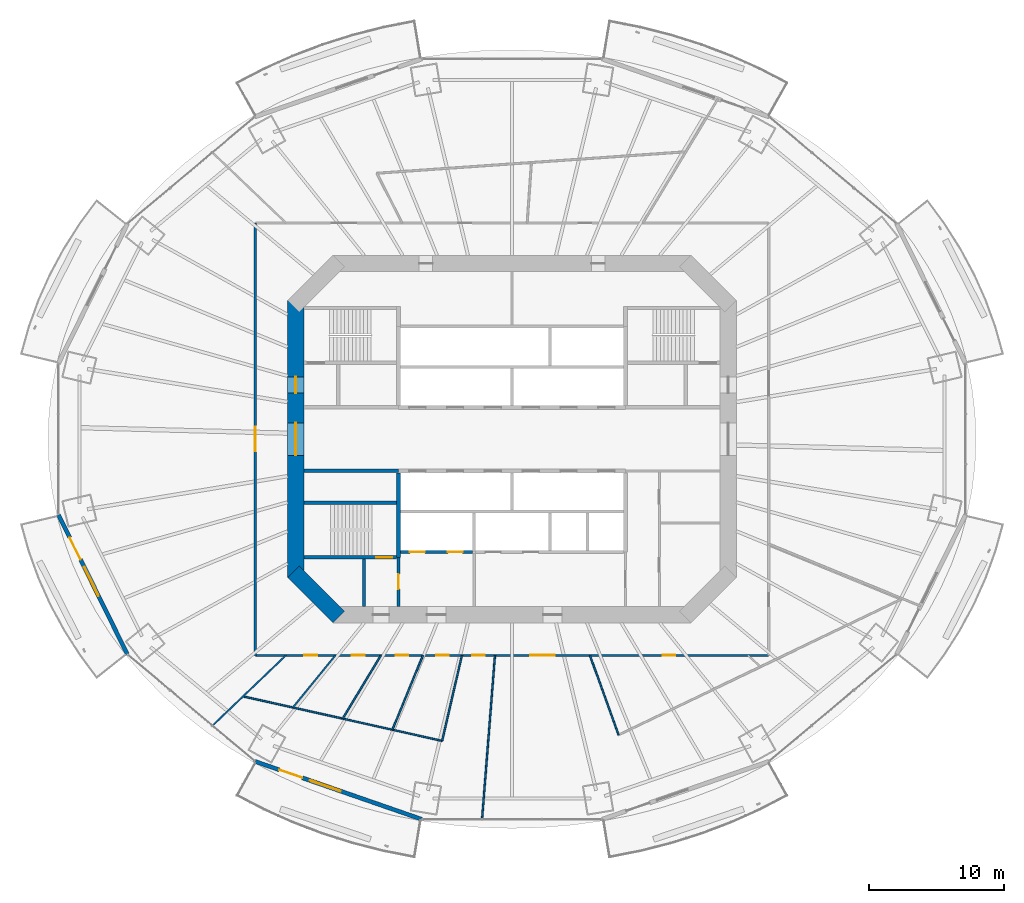
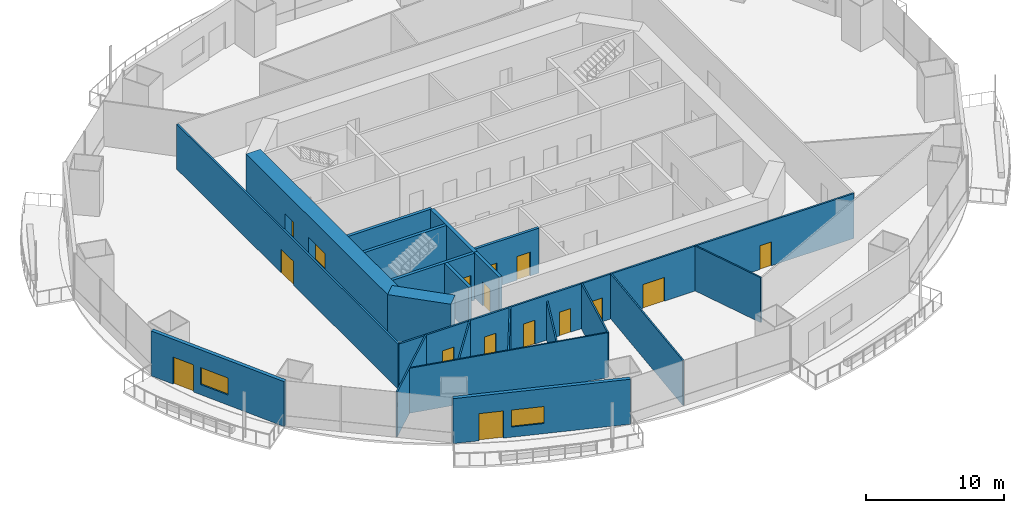
# One storey, part 13 of 22: 21 walls, 16 doors, 2 windows, 18 openings.
"""IFC4 building model written with IfcOpenShell, lengths in metres."""

from ifc_helpers import new_model, si_unit, direction, frame, frame_2d, origin, place, context, subcontext, project, spatial, rectangle, extrude, material, layer, layer_set, type_object, element, fill, save


model = new_model("IFC4")

# Units and contexts
model_context = context("Model", 3, precision=1e-05, world=origin(), true_north=direction((0.0, 1.0)))
body_context = subcontext(model_context, "Body", "Model", "MODEL_VIEW")
ifc_project = project(units=[si_unit("LENGTHUNIT", "METRE"), si_unit("AREAUNIT", "SQUARE_METRE"), si_unit("VOLUMEUNIT", "CUBIC_METRE"), si_unit("PLANEANGLEUNIT", "RADIAN"), si_unit("MASSUNIT", "GRAM", prefix="KILO")], contexts=[model_context])

# Site, building, storey
site_placement = place(None, origin())
site = spatial("IfcSite", under=ifc_project, at=site_placement, CompositionType="ELEMENT")
building_placement = place(site_placement, origin())
building = spatial("IfcBuilding", under=site, at=building_placement, Name="Marenthal Gate Tower", CompositionType="ELEMENT")
storey_placement = place(building_placement, frame((0.0, 0.0, 111.85009765625)))
storey = spatial("IfcBuildingStorey", under=building, at=storey_placement, Name="L23", CompositionType="ELEMENT", Elevation=111.85009765625)

# Wall, openings, doors
ifc_material_1 = material(Name="Concrete 60 MPa", Category="concrete")
ifc_layer_1 = layer(ifc_material_1, 1.199951171875)
ifc_layer_set_1 = layer_set([ifc_layer_1], Name="Core shear wall 1200")
wall_type_1 = type_object("IfcWallType", Name="Core shear wall 1200", PredefinedType="SHEAR", material=ifc_layer_set_1)
wall_1_placement = place(storey_placement, frame((-16.0, 10.24853515625, -0.18017578125), z_axis=(0.0, 0.0, 1.0), x_axis=(0.0, -1.0, 0.0)))
wall_1 = element("IfcWall", 1, at=wall_1_placement, inside=storey, type_object=wall_type_1, Name="Core wall 06", PredefinedType="SHEAR", context=body_context, shape_type="SweptSolid", body=[
    extrude(rectangle(XDim=20.4970703125, YDim=1.199951171875, at=frame_2d((10.24853515625, 0.0))), origin(), (0.0, 0.0, 1.0), 4.150146484375),
])
opening_1_placement = place(wall_1_placement, frame((9.048583984375, 0.0, 0.179931640625)))
opening_1 = element("IfcOpeningElement", 2, at=opening_1_placement, cuts=wall_1, Name="Opening D003.01", PredefinedType="OPENING", context=body_context, shape_type="SweptSolid", body=[
    extrude(rectangle(XDim=2.39990234375, YDim=2.10009765625, at=frame_2d((1.199951171875, 1.050048828125))), frame((0.0, 0.60986328125, 0.0), z_axis=(0.0, -1.0, 0.0), x_axis=(1.0, 0.0, 0.0)), (0.0, 0.0, 1.0), 1.219970703125),
])
opening_2_placement = place(wall_1_placement, frame((5.6484375, 0.0, 0.179931640625)))
opening_2 = element("IfcOpeningElement", 3, at=opening_2_placement, cuts=wall_1, Name="Opening D001.04", PredefinedType="OPENING", context=body_context, shape_type="SweptSolid", body=[
    extrude(rectangle(XDim=1.199951171875, YDim=2.10009765625, at=frame_2d((0.60009765625, 1.050048828125))), frame((0.0, 0.60986328125, 0.0), z_axis=(0.0, -1.0, 0.0), x_axis=(1.0, 0.0, 0.0)), (0.0, 0.0, 1.0), 1.219970703125),
])
ifc_material_2 = material(Name="Steel fire door", Category="steel")
door_type_1 = type_object("IfcDoorType", Name="Double fire door FD 45 2400 x 2100", OperationType="DOUBLE_DOOR_SINGLE_SWING", PredefinedType="DOOR", material=ifc_material_2)
door_1_placement = place(opening_1_placement, origin())
door_1 = element("IfcDoor", 4, at=door_1_placement, inside=storey, type_object=door_type_1, Name="Door D003.01", OperationType="DOUBLE_DOOR_SINGLE_SWING", OverallHeight=2.10009765625, OverallWidth=2.39990234375, PredefinedType="DOOR", context=body_context, shape_type="SweptSolid", body=[
    extrude(rectangle(XDim=2.39990234375, YDim=2.10009765625, at=frame_2d((1.199951171875, 1.050048828125))), frame((0.0, 0.02490234375, 0.0), z_axis=(0.0, -1.0, 0.0), x_axis=(1.0, 0.0, 0.0)), (0.0, 0.0, 1.0), 0.050048828125),
])
fill(opening_1, door_1)
ifc_material_3 = material(Name="Steel fire door", Category="steel")
door_type_2 = type_object("IfcDoorType", Name="Fire door FD 90 1200 x 2100", OperationType="NOTDEFINED", PredefinedType="DOOR", material=ifc_material_3)
door_2_placement = place(opening_2_placement, origin())
door_2 = element("IfcDoor", 5, at=door_2_placement, inside=storey, type_object=door_type_2, Name="Door D001.04", OperationType="SINGLE_SWING_RIGHT", OverallHeight=2.10009765625, OverallWidth=1.199951171875, PredefinedType="DOOR", context=body_context, shape_type="SweptSolid", body=[
    extrude(rectangle(XDim=1.199951171875, YDim=2.10009765625, at=frame_2d((0.60009765625, 1.050048828125))), frame((0.0, 0.02490234375, 0.0), z_axis=(0.0, -1.0, 0.0), x_axis=(1.0, 0.0, 0.0)), (0.0, 0.0, 1.0), 0.050048828125),
])
fill(opening_2, door_2)

# Walls
wall_2_placement = place(storey_placement, frame((-16.17578125, -9.82421875, -0.18017578125), z_axis=(0.0, 0.0, 1.0), x_axis=(0.707106781187, -0.707106781187, 0.0)))
element("IfcWall", 6, at=wall_2_placement, inside=storey, type_object=wall_type_1, Name="Core wall 07", PredefinedType="SHEAR", context=body_context, shape_type="SweptSolid", body=[
    extrude(rectangle(XDim=4.73974609375, YDim=1.199951171875, at=frame_2d((2.369873046875, 0.0))), origin(), (0.0, 0.0, 1.0), 4.150146484375),
])
ifc_material_4 = material(Name="Concrete 50 MPa", Category="concrete")
ifc_layer_2 = layer(ifc_material_4, 0.300048828125)
ifc_layer_set_2 = layer_set([ifc_layer_2], Name="Hoistway shear wall 300")
wall_type_2 = type_object("IfcWallType", Name="Hoistway shear wall 300", PredefinedType="SHEAR", material=ifc_layer_set_2)
wall_3_placement = place(storey_placement, frame((-8.39990234375, -8.75, -0.18017578125), z_axis=(0.0, 0.0, 1.0), x_axis=(0.0, 1.0, 0.0)))
element("IfcWall", 7, at=wall_3_placement, inside=storey, type_object=wall_type_2, Name="Hoistway wall 30", PredefinedType="SHEAR", context=body_context, shape_type="SweptSolid", body=[
    extrude(rectangle(XDim=6.25, YDim=0.300048828125, at=frame_2d((3.125, 0.0))), origin(), (0.0, 0.0, 1.0), 4.150146484375),
])

# Wall, openings, doors
ifc_material_5 = material(Name="Concrete 40 MPa", Category="concrete")
ifc_layer_3 = layer(ifc_material_5, 0.219970703125)
ifc_layer_set_3 = layer_set([ifc_layer_3], Name="Hoistway wall 220")
wall_type_3 = type_object("IfcWallType", Name="Hoistway wall 220", PredefinedType="STANDARD", material=ifc_layer_set_3)
wall_4_placement = place(storey_placement, frame((-8.25, -8.35009765625, 0.0), z_axis=(0.0, 0.0, 1.0), x_axis=(1.0, 0.0, 0.0)))
wall_4 = element("IfcWall", 8, at=wall_4_placement, inside=storey, type_object=wall_type_3, Name="Hoistway wall 10", PredefinedType="STANDARD", context=body_context, shape_type="SweptSolid", body=[
    extrude(rectangle(XDim=5.340087890625, YDim=0.219970703125, at=frame_2d((2.669921875, 0.0))), origin(), (0.0, 0.0, 1.0), 3.969970703125),
])
opening_3_placement = place(wall_4_placement, frame((0.699951171875, 0.0, 0.0)))
opening_3 = element("IfcOpeningElement", 9, at=opening_3_placement, cuts=wall_4, Name="Opening LD-LF1", PredefinedType="OPENING", context=body_context, shape_type="SweptSolid", body=[
    extrude(rectangle(XDim=1.10009765625, YDim=2.10009765625, at=frame_2d((0.550048828125, 1.050048828125))), frame((0.0, 0.1201171875, 0.0), z_axis=(0.0, -1.0, 0.0), x_axis=(1.0, 0.0, 0.0)), (0.0, 0.0, 1.0), 0.239990234375),
])
opening_4_placement = place(wall_4_placement, frame((3.5, 0.0, 0.0)))
opening_4 = element("IfcOpeningElement", 10, at=opening_4_placement, cuts=wall_4, Name="Opening LD-LF2", PredefinedType="OPENING", context=body_context, shape_type="SweptSolid", body=[
    extrude(rectangle(XDim=1.10009765625, YDim=2.10009765625, at=frame_2d((0.550048828125, 1.050048828125))), frame((0.0, 0.1201171875, 0.0), z_axis=(0.0, -1.0, 0.0), x_axis=(1.0, 0.0, 0.0)), (0.0, 0.0, 1.0), 0.239990234375),
])
ifc_material_6 = material(Name="Stainless steel sliding door", Category="steel")
door_type_3 = type_object("IfcDoorType", Name="Lift landing door FD 90 1100 x 2100", OperationType="DOUBLE_DOOR_SLIDING", PredefinedType="DOOR", material=ifc_material_6)
door_3_placement = place(opening_3_placement, origin())
door_3 = element("IfcDoor", 11, at=door_3_placement, inside=storey, type_object=door_type_3, Name="Lift landing door LF1", OperationType="DOUBLE_DOOR_SLIDING", OverallHeight=2.10009765625, OverallWidth=1.10009765625, PredefinedType="DOOR", context=body_context, shape_type="SweptSolid", body=[
    extrude(rectangle(XDim=1.10009765625, YDim=2.10009765625, at=frame_2d((0.550048828125, 1.050048828125))), frame((0.0, 0.02490234375, 0.0), z_axis=(0.0, -1.0, 0.0), x_axis=(1.0, 0.0, 0.0)), (0.0, 0.0, 1.0), 0.050048828125),
])
fill(opening_3, door_3)
door_4_placement = place(opening_4_placement, origin())
door_4 = element("IfcDoor", 12, at=door_4_placement, inside=storey, type_object=door_type_3, Name="Lift landing door LF2", OperationType="DOUBLE_DOOR_SLIDING", OverallHeight=2.10009765625, OverallWidth=1.10009765625, PredefinedType="DOOR", context=body_context, shape_type="SweptSolid", body=[
    extrude(rectangle(XDim=1.10009765625, YDim=2.10009765625, at=frame_2d((0.550048828125, 1.050048828125))), frame((0.0, 0.02490234375, 0.0), z_axis=(0.0, -1.0, 0.0), x_axis=(1.0, 0.0, 0.0)), (0.0, 0.0, 1.0), 0.050048828125),
])
fill(opening_4, door_4)

# Walls
ifc_material_7 = material(Name="Gypsum board on steel studs", Category="steel")
ifc_layer_4 = layer(ifc_material_7, 0.1201171875)
ifc_layer_set_4 = layer_set([ifc_layer_4], Name="Partition 120")
wall_type_4 = type_object("IfcWallType", Name="Partition 120", PredefinedType="PARTITIONING", material=ifc_layer_set_4)
wall_5_placement = place(storey_placement, frame((-19.902587890625, -19.039306640625, 0.0), z_axis=(0.0, 0.0, 1.0), x_axis=(0.975911899849, -0.218164991996, 0.0)))
element("IfcWall", 13, at=wall_5_placement, inside=storey, type_object=wall_type_4, Name="Partition wall 47", PredefinedType="PARTITIONING", context=body_context, shape_type="SweptSolid", body=[
    extrude(rectangle(XDim=15.094970703125, YDim=0.1201171875, at=frame_2d((7.54736328125, 0.0))), origin(), (0.0, 0.0, 1.0), 3.969970703125),
])
wall_6_placement = place(storey_placement, frame((-16.7255859375, -16.0, 0.0), z_axis=(0.0, 0.0, 1.0), x_axis=(-0.722599633889, -0.691266785767, 0.0)))
element("IfcWall", 14, at=wall_6_placement, inside=storey, type_object=wall_type_4, Name="Partition wall 50", PredefinedType="PARTITIONING", context=body_context, shape_type="SweptSolid", body=[
    extrude(rectangle(XDim=7.53466796875, YDim=0.1201171875, at=frame_2d((3.767333984375, 0.0))), origin(), (0.0, 0.0, 1.0), 3.969970703125),
])
wall_7_placement = place(storey_placement, frame((-16.2197265625, -19.862548828125, 0.0), z_axis=(0.0, 0.0, 1.0), x_axis=(0.632491004323, 0.774567704884, 0.0)))
element("IfcWall", 15, at=wall_7_placement, inside=storey, type_object=wall_type_4, Name="Partition wall 52", PredefinedType="PARTITIONING", context=body_context, shape_type="SweptSolid", body=[
    extrude(rectangle(XDim=4.98681640625, YDim=0.1201171875, at=frame_2d((2.493408203125, 0.0))), origin(), (0.0, 0.0, 1.0), 3.969970703125),
])
wall_8_placement = place(storey_placement, frame((-12.536865234375, -20.685791015625, 0.0), z_axis=(0.0, 0.0, 1.0), x_axis=(0.518297766023, 0.855200225523, 0.0)))
element("IfcWall", 16, at=wall_8_placement, inside=storey, type_object=wall_type_4, Name="Partition wall 53", PredefinedType="PARTITIONING", context=body_context, shape_type="SweptSolid", body=[
    extrude(rectangle(XDim=5.479248046875, YDim=0.1201171875, at=frame_2d((2.73974609375, 0.0))), origin(), (0.0, 0.0, 1.0), 3.969970703125),
])
wall_9_placement = place(storey_placement, frame((-8.85400390625, -21.509033203125, 0.0), z_axis=(0.0, 0.0, 1.0), x_axis=(0.380663236363, 0.92471373975, 0.0)))
element("IfcWall", 17, at=wall_9_placement, inside=storey, type_object=wall_type_4, Name="Partition wall 55", PredefinedType="PARTITIONING", context=body_context, shape_type="SweptSolid", body=[
    extrude(rectangle(XDim=5.95751953125, YDim=0.1201171875, at=frame_2d((2.978759765625, 0.0))), origin(), (0.0, 0.0, 1.0), 3.42578125),
])
wall_10_placement = place(storey_placement, frame((-5.171142578125, -22.33251953125, 0.0), z_axis=(0.0, 0.0, 1.0), x_axis=(0.225583629602, 0.974223806964, 0.0)))
element("IfcWall", 18, at=wall_10_placement, inside=storey, type_object=wall_type_4, Name="Partition wall 56", PredefinedType="PARTITIONING", context=body_context, shape_type="SweptSolid", body=[
    extrude(rectangle(XDim=6.5, YDim=0.1201171875, at=frame_2d((3.25, 0.0))), origin(), (0.0, 0.0, 1.0), 3.969970703125),
])
wall_11_placement = place(storey_placement, frame((-1.260009765625, -16.0, 0.0), z_axis=(0.0, 0.0, 1.0), x_axis=(-0.078510530824, -0.996913284368, 0.0)))
element("IfcWall", 19, at=wall_11_placement, inside=storey, type_object=wall_type_4, Name="Partition wall 57", PredefinedType="PARTITIONING", context=body_context, shape_type="SweptSolid", body=[
    extrude(rectangle(XDim=12.17431640625, YDim=0.1201171875, at=frame_2d((6.087158203125, 0.0))), origin(), (0.0, 0.0, 1.0), 3.969970703125),
])
wall_12_placement = place(storey_placement, frame((7.887451171875, -21.892333984375, 0.0), z_axis=(0.0, 0.0, 1.0), x_axis=(-0.338974817015, 0.940795447177, 0.0)))
element("IfcWall", 20, at=wall_12_placement, inside=storey, type_object=wall_type_4, Name="Partition wall 60", PredefinedType="PARTITIONING", context=body_context, shape_type="SweptSolid", body=[
    extrude(rectangle(XDim=6.26318359375, YDim=0.1201171875, at=frame_2d((3.131591796875, 0.0))), origin(), (0.0, 0.0, 1.0), 3.969970703125),
])

# Wall, opening, door
ifc_material_8 = material(Name="Gypsum board on steel studs", Category="steel")
ifc_layer_5 = layer(ifc_material_8, 0.14990234375)
ifc_layer_set_5 = layer_set([ifc_layer_5], Name="Partition 150")
wall_type_5 = type_object("IfcWallType", Name="Partition 150", PredefinedType="PARTITIONING", material=ifc_layer_set_5)
wall_13_placement = place(storey_placement, frame((-19.0, -16.0, 0.0), z_axis=(0.0, 0.0, 1.0), x_axis=(0.0, 1.0, 0.0)))
wall_13 = element("IfcWall", 21, at=wall_13_placement, inside=storey, type_object=wall_type_5, Name="Partition wall 48", PredefinedType="PARTITIONING", context=body_context, shape_type="SweptSolid", body=[
    extrude(rectangle(XDim=32.0, YDim=0.14990234375, at=frame_2d((16.0, 0.0))), origin(), (0.0, 0.0, 1.0), 3.969970703125),
])
opening_5_placement = place(wall_13_placement, frame((15.10009765625, 0.0, 0.0)))
opening_5 = element("IfcOpeningElement", 22, at=opening_5_placement, cuts=wall_13, Name="Opening D014.02", PredefinedType="OPENING", context=body_context, shape_type="SweptSolid", body=[
    extrude(rectangle(XDim=1.800048828125, YDim=2.10009765625, at=frame_2d((0.89990234375, 1.050048828125))), frame((0.0, 0.0849609375, 0.0), z_axis=(0.0, -1.0, 0.0), x_axis=(1.0, 0.0, 0.0)), (0.0, 0.0, 1.0), 0.169921875),
])
ifc_material_9 = material(Name="Timber door", Category="wood")
door_type_4 = type_object("IfcDoorType", Name="Double door 1800 x 2100", OperationType="DOUBLE_DOOR_SINGLE_SWING", PredefinedType="DOOR", material=ifc_material_9)
door_5_placement = place(opening_5_placement, origin())
door_5 = element("IfcDoor", 23, at=door_5_placement, inside=storey, type_object=door_type_4, Name="Door D014.02", OperationType="DOUBLE_DOOR_SINGLE_SWING", OverallHeight=2.10009765625, OverallWidth=1.800048828125, PredefinedType="DOOR", context=body_context, shape_type="SweptSolid", body=[
    extrude(rectangle(XDim=1.800048828125, YDim=2.10009765625, at=frame_2d((0.89990234375, 1.050048828125))), frame((0.0, 0.02490234375, 0.0), z_axis=(0.0, -1.0, 0.0), x_axis=(1.0, 0.0, 0.0)), (0.0, 0.0, 1.0), 0.050048828125),
])
fill(opening_5, door_5)

# Wall, openings, doors
wall_14_placement = place(storey_placement, frame((19.0, -16.0, 0.0), z_axis=(0.0, 0.0, 1.0), x_axis=(-1.0, 0.0, 0.0)))
wall_14 = element("IfcWall", 24, at=wall_14_placement, inside=storey, type_object=wall_type_5, Name="Partition wall 64", PredefinedType="PARTITIONING", context=body_context, shape_type="SweptSolid", body=[
    extrude(rectangle(XDim=38.0, YDim=0.14990234375, at=frame_2d((19.0, 0.0))), origin(), (0.0, 0.0, 1.0), 3.969970703125),
])
opening_6_placement = place(wall_14_placement, frame((33.4208984375, 0.0, 0.0)))
opening_6 = element("IfcOpeningElement", 25, at=opening_6_placement, cuts=wall_14, Name="Opening D016.03", PredefinedType="OPENING", context=body_context, shape_type="SweptSolid", body=[
    extrude(rectangle(XDim=0.949951171875, YDim=2.10009765625, at=frame_2d((0.47509765625, 1.050048828125))), frame((0.0, 0.0849609375, 0.0), z_axis=(0.0, -1.0, 0.0), x_axis=(1.0, 0.0, 0.0)), (0.0, 0.0, 1.0), 0.169921875),
])
opening_7_placement = place(wall_14_placement, frame((29.906982421875, 0.0, 0.0)))
opening_7 = element("IfcOpeningElement", 26, at=opening_7_placement, cuts=wall_14, Name="Opening D016.04", PredefinedType="OPENING", context=body_context, shape_type="SweptSolid", body=[
    extrude(rectangle(XDim=0.949951171875, YDim=2.10009765625, at=frame_2d((0.47509765625, 1.050048828125))), frame((0.0, 0.0849609375, 0.0), z_axis=(0.0, -1.0, 0.0), x_axis=(1.0, 0.0, 0.0)), (0.0, 0.0, 1.0), 0.169921875),
])
opening_8_placement = place(wall_14_placement, frame((26.666015625, 0.0, 0.0)))
opening_8 = element("IfcOpeningElement", 27, at=opening_8_placement, cuts=wall_14, Name="Opening D016.05", PredefinedType="OPENING", context=body_context, shape_type="SweptSolid", body=[
    extrude(rectangle(XDim=0.949951171875, YDim=2.10009765625, at=frame_2d((0.47509765625, 1.050048828125))), frame((0.0, 0.0849609375, 0.0), z_axis=(0.0, -1.0, 0.0), x_axis=(1.0, 0.0, 0.0)), (0.0, 0.0, 1.0), 0.169921875),
])
opening_9_placement = place(wall_14_placement, frame((23.669921875, 0.0, 0.0)))
opening_9 = element("IfcOpeningElement", 28, at=opening_9_placement, cuts=wall_14, Name="Opening D016.06", PredefinedType="OPENING", context=body_context, shape_type="SweptSolid", body=[
    extrude(rectangle(XDim=0.949951171875, YDim=2.10009765625, at=frame_2d((0.47509765625, 1.050048828125))), frame((0.0, 0.0849609375, 0.0), z_axis=(0.0, -1.0, 0.0), x_axis=(1.0, 0.0, 0.0)), (0.0, 0.0, 1.0), 0.169921875),
])
opening_10_placement = place(wall_14_placement, frame((21.008056640625, 0.0, 0.0)))
opening_10 = element("IfcOpeningElement", 29, at=opening_10_placement, cuts=wall_14, Name="Opening D016.07", PredefinedType="OPENING", context=body_context, shape_type="SweptSolid", body=[
    extrude(rectangle(XDim=0.949951171875, YDim=2.10009765625, at=frame_2d((0.47509765625, 1.050048828125))), frame((0.0, 0.0849609375, 0.0), z_axis=(0.0, -1.0, 0.0), x_axis=(1.0, 0.0, 0.0)), (0.0, 0.0, 1.0), 0.169921875),
])
opening_11_placement = place(wall_14_placement, frame((6.912109375, 0.0, 0.0)))
opening_11 = element("IfcOpeningElement", 30, at=opening_11_placement, cuts=wall_14, Name="Opening D016.08", PredefinedType="OPENING", context=body_context, shape_type="SweptSolid", body=[
    extrude(rectangle(XDim=0.949951171875, YDim=2.10009765625, at=frame_2d((0.47509765625, 1.050048828125))), frame((0.0, 0.0849609375, 0.0), z_axis=(0.0, -1.0, 0.0), x_axis=(1.0, 0.0, 0.0)), (0.0, 0.0, 1.0), 0.169921875),
])
opening_12_placement = place(wall_14_placement, frame((15.847900390625, 0.0, 0.0)))
opening_12 = element("IfcOpeningElement", 31, at=opening_12_placement, cuts=wall_14, Name="Opening D014.03", PredefinedType="OPENING", context=body_context, shape_type="SweptSolid", body=[
    extrude(rectangle(XDim=1.800048828125, YDim=2.10009765625, at=frame_2d((0.89990234375, 1.050048828125))), frame((0.0, 0.0849609375, 0.0), z_axis=(0.0, -1.0, 0.0), x_axis=(1.0, 0.0, 0.0)), (0.0, 0.0, 1.0), 0.169921875),
])
ifc_material_10 = material(Name="Timber door", Category="wood")
door_type_5 = type_object("IfcDoorType", Name="Door 950 x 2100", OperationType="NOTDEFINED", PredefinedType="DOOR", material=ifc_material_10)
door_6_placement = place(opening_6_placement, origin())
door_6 = element("IfcDoor", 32, at=door_6_placement, inside=storey, type_object=door_type_5, Name="Door D016.03", OperationType="SINGLE_SWING_RIGHT", OverallHeight=2.10009765625, OverallWidth=0.949951171875, PredefinedType="DOOR", context=body_context, shape_type="SweptSolid", body=[
    extrude(rectangle(XDim=0.949951171875, YDim=2.10009765625, at=frame_2d((0.47509765625, 1.050048828125))), frame((0.0, 0.02490234375, 0.0), z_axis=(0.0, -1.0, 0.0), x_axis=(1.0, 0.0, 0.0)), (0.0, 0.0, 1.0), 0.050048828125),
])
fill(opening_6, door_6)
door_7_placement = place(opening_7_placement, origin())
door_7 = element("IfcDoor", 33, at=door_7_placement, inside=storey, type_object=door_type_5, Name="Door D016.04", OperationType="SINGLE_SWING_RIGHT", OverallHeight=2.10009765625, OverallWidth=0.949951171875, PredefinedType="DOOR", context=body_context, shape_type="SweptSolid", body=[
    extrude(rectangle(XDim=0.949951171875, YDim=2.10009765625, at=frame_2d((0.47509765625, 1.050048828125))), frame((0.0, 0.02490234375, 0.0), z_axis=(0.0, -1.0, 0.0), x_axis=(1.0, 0.0, 0.0)), (0.0, 0.0, 1.0), 0.050048828125),
])
fill(opening_7, door_7)
door_8_placement = place(opening_8_placement, origin())
door_8 = element("IfcDoor", 34, at=door_8_placement, inside=storey, type_object=door_type_5, Name="Door D016.05", OperationType="SINGLE_SWING_RIGHT", OverallHeight=2.10009765625, OverallWidth=0.949951171875, PredefinedType="DOOR", context=body_context, shape_type="SweptSolid", body=[
    extrude(rectangle(XDim=0.949951171875, YDim=2.10009765625, at=frame_2d((0.47509765625, 1.050048828125))), frame((0.0, 0.02490234375, 0.0), z_axis=(0.0, -1.0, 0.0), x_axis=(1.0, 0.0, 0.0)), (0.0, 0.0, 1.0), 0.050048828125),
])
fill(opening_8, door_8)
door_9_placement = place(opening_9_placement, origin())
door_9 = element("IfcDoor", 35, at=door_9_placement, inside=storey, type_object=door_type_5, Name="Door D016.06", OperationType="SINGLE_SWING_RIGHT", OverallHeight=2.10009765625, OverallWidth=0.949951171875, PredefinedType="DOOR", context=body_context, shape_type="SweptSolid", body=[
    extrude(rectangle(XDim=0.949951171875, YDim=2.10009765625, at=frame_2d((0.47509765625, 1.050048828125))), frame((0.0, 0.02490234375, 0.0), z_axis=(0.0, -1.0, 0.0), x_axis=(1.0, 0.0, 0.0)), (0.0, 0.0, 1.0), 0.050048828125),
])
fill(opening_9, door_9)
door_10_placement = place(opening_10_placement, origin())
door_10 = element("IfcDoor", 36, at=door_10_placement, inside=storey, type_object=door_type_5, Name="Door D016.07", OperationType="SINGLE_SWING_RIGHT", OverallHeight=2.10009765625, OverallWidth=0.949951171875, PredefinedType="DOOR", context=body_context, shape_type="SweptSolid", body=[
    extrude(rectangle(XDim=0.949951171875, YDim=2.10009765625, at=frame_2d((0.47509765625, 1.050048828125))), frame((0.0, 0.02490234375, 0.0), z_axis=(0.0, -1.0, 0.0), x_axis=(1.0, 0.0, 0.0)), (0.0, 0.0, 1.0), 0.050048828125),
])
fill(opening_10, door_10)
door_11_placement = place(opening_11_placement, origin())
door_11 = element("IfcDoor", 37, at=door_11_placement, inside=storey, type_object=door_type_5, Name="Door D016.08", OperationType="SINGLE_SWING_RIGHT", OverallHeight=2.10009765625, OverallWidth=0.949951171875, PredefinedType="DOOR", context=body_context, shape_type="SweptSolid", body=[
    extrude(rectangle(XDim=0.949951171875, YDim=2.10009765625, at=frame_2d((0.47509765625, 1.050048828125))), frame((0.0, 0.02490234375, 0.0), z_axis=(0.0, -1.0, 0.0), x_axis=(1.0, 0.0, 0.0)), (0.0, 0.0, 1.0), 0.050048828125),
])
fill(opening_11, door_11)
door_12_placement = place(opening_12_placement, origin())
door_12 = element("IfcDoor", 38, at=door_12_placement, inside=storey, type_object=door_type_4, Name="Door D014.03", OperationType="DOUBLE_DOOR_SINGLE_SWING", OverallHeight=2.10009765625, OverallWidth=1.800048828125, PredefinedType="DOOR", context=body_context, shape_type="SweptSolid", body=[
    extrude(rectangle(XDim=1.800048828125, YDim=2.10009765625, at=frame_2d((0.89990234375, 1.050048828125))), frame((0.0, 0.02490234375, 0.0), z_axis=(0.0, -1.0, 0.0), x_axis=(1.0, 0.0, 0.0)), (0.0, 0.0, 1.0), 0.050048828125),
])
fill(opening_12, door_12)

# Walls
ifc_material_11 = material(Name="Concrete 40 MPa", Category="concrete")
ifc_layer_6 = layer(ifc_material_11, 0.25)
ifc_layer_set_6 = layer_set([ifc_layer_6], Name="Stair enclosure wall 250")
wall_type_6 = type_object("IfcWallType", Name="Stair enclosure wall 250", PredefinedType="STANDARD", material=ifc_layer_set_6)
wall_15_placement = place(storey_placement, frame((-15.39990234375, -2.35009765625, 0.0), z_axis=(0.0, 0.0, 1.0), x_axis=(1.0, 0.0, 0.0)))
element("IfcWall", 39, at=wall_15_placement, inside=storey, type_object=wall_type_6, Name="Stair wall 15", PredefinedType="STANDARD", context=body_context, shape_type="SweptSolid", body=[
    extrude(rectangle(XDim=7.0, YDim=0.25, at=frame_2d((3.5, 0.0))), origin(), (0.0, 0.0, 1.0), 3.969970703125),
])
wall_16_placement = place(storey_placement, frame((-10.949951171875, -12.39990234375, 0.0), z_axis=(0.0, 0.0, 1.0), x_axis=(0.0, 1.0, 0.0)))
element("IfcWall", 40, at=wall_16_placement, inside=storey, type_object=wall_type_6, Name="Stair wall 28", PredefinedType="STANDARD", context=body_context, shape_type="SweptSolid", body=[
    extrude(rectangle(XDim=3.52490234375, YDim=0.25, at=frame_2d((1.762451171875, 0.0))), origin(), (0.0, 0.0, 1.0), 3.969970703125),
])

# Wall, opening, door
wall_17_placement = place(storey_placement, frame((-8.39990234375, -12.39990234375, 0.0), z_axis=(0.0, 0.0, 1.0), x_axis=(0.0, 1.0, 0.0)))
wall_17 = element("IfcWall", 41, at=wall_17_placement, inside=storey, type_object=wall_type_6, Name="Stair wall 29", PredefinedType="STANDARD", context=body_context, shape_type="SweptSolid", body=[
    extrude(rectangle(XDim=3.64990234375, YDim=0.25, at=frame_2d((1.824951171875, 0.0))), origin(), (0.0, 0.0, 1.0), 3.969970703125),
])
opening_13_placement = place(wall_17_placement, frame((1.300048828125, 0.0, 0.0)))
opening_13 = element("IfcOpeningElement", 42, at=opening_13_placement, cuts=wall_17, Name="Opening D002.01", PredefinedType="OPENING", context=body_context, shape_type="SweptSolid", body=[
    extrude(rectangle(XDim=1.10009765625, YDim=2.10009765625, at=frame_2d((0.550048828125, 1.050048828125))), frame((0.0, 0.135009765625, 0.0), z_axis=(0.0, -1.0, 0.0), x_axis=(1.0, 0.0, 0.0)), (0.0, 0.0, 1.0), 0.27001953125),
])
ifc_material_12 = material(Name="Steel fire door", Category="steel")
door_type_6 = type_object("IfcDoorType", Name="Fire door FD 90 1100 x 2100", OperationType="NOTDEFINED", PredefinedType="DOOR", material=ifc_material_12)
door_13_placement = place(opening_13_placement, origin())
door_13 = element("IfcDoor", 43, at=door_13_placement, inside=storey, type_object=door_type_6, Name="Door D002.01", OperationType="SINGLE_SWING_RIGHT", OverallHeight=2.10009765625, OverallWidth=1.10009765625, PredefinedType="DOOR", context=body_context, shape_type="SweptSolid", body=[
    extrude(rectangle(XDim=1.10009765625, YDim=2.10009765625, at=frame_2d((0.550048828125, 1.050048828125))), frame((0.0, 0.02490234375, 0.0), z_axis=(0.0, -1.0, 0.0), x_axis=(1.0, 0.0, 0.0)), (0.0, 0.0, 1.0), 0.050048828125),
])
fill(opening_13, door_13)

ifc_material_13 = material(Name="Concrete 50 MPa", Category="concrete")
ifc_layer_7 = layer(ifc_material_13, 0.25)
ifc_layer_set_7 = layer_set([ifc_layer_7], Name="Stair shear wall 250")
wall_type_7 = type_object("IfcWallType", Name="Stair shear wall 250", PredefinedType="SHEAR", material=ifc_layer_set_7)
wall_18_placement = place(storey_placement, frame((-15.39990234375, -8.75, -0.18017578125), z_axis=(0.0, 0.0, 1.0), x_axis=(1.0, 0.0, 0.0)))
wall_18 = element("IfcWall", 44, at=wall_18_placement, inside=storey, type_object=wall_type_7, Name="Stair wall 09", PredefinedType="SHEAR", context=body_context, shape_type="SweptSolid", body=[
    extrude(rectangle(XDim=6.849853515625, YDim=0.25, at=frame_2d((3.4248046875, 0.0))), origin(), (0.0, 0.0, 1.0), 4.150146484375),
])
opening_14_placement = place(wall_18_placement, frame((5.35009765625, 0.0, 0.179931640625)))
opening_14 = element("IfcOpeningElement", 45, at=opening_14_placement, cuts=wall_18, Name="Opening D001.03", PredefinedType="OPENING", context=body_context, shape_type="SweptSolid", body=[
    extrude(rectangle(XDim=1.199951171875, YDim=2.10009765625, at=frame_2d((0.60009765625, 1.050048828125))), frame((0.0, 0.135009765625, 0.0), z_axis=(0.0, -1.0, 0.0), x_axis=(1.0, 0.0, 0.0)), (0.0, 0.0, 1.0), 0.27001953125),
])
door_14_placement = place(opening_14_placement, origin())
door_14 = element("IfcDoor", 46, at=door_14_placement, inside=storey, type_object=door_type_2, Name="Door D001.03", OperationType="SINGLE_SWING_RIGHT", OverallHeight=2.10009765625, OverallWidth=1.199951171875, PredefinedType="DOOR", context=body_context, shape_type="SweptSolid", body=[
    extrude(rectangle(XDim=1.199951171875, YDim=2.10009765625, at=frame_2d((0.60009765625, 1.050048828125))), frame((0.0, 0.02490234375, 0.0), z_axis=(0.0, -1.0, 0.0), x_axis=(1.0, 0.0, 0.0)), (0.0, 0.0, 1.0), 0.050048828125),
])
fill(opening_14, door_14)

# Wall
wall_19_placement = place(storey_placement, frame((-15.39990234375, -4.699951171875, -0.18017578125), z_axis=(0.0, 0.0, 1.0), x_axis=(1.0, 0.0, 0.0)))
element("IfcWall", 47, at=wall_19_placement, inside=storey, type_object=wall_type_7, Name="Stair wall 14", PredefinedType="SHEAR", context=body_context, shape_type="SweptSolid", body=[
    extrude(rectangle(XDim=6.849853515625, YDim=0.25, at=frame_2d((3.4248046875, 0.0))), origin(), (0.0, 0.0, 1.0), 4.150146484375),
])

# Wall, openings, door, window
ifc_material_14 = material(Name="Terracotta cladding on insulated concrete-block backing", Category="masonry")
ifc_layer_8 = layer(ifc_material_14, 0.300048828125)
ifc_layer_set_8 = layer_set([ifc_layer_8], Name="Terracotta facade wall 300")
wall_type_8 = type_object("IfcWallType", Name="Terracotta facade wall 300", PredefinedType="SOLIDWALL", material=ifc_layer_set_8)
wall_20_placement = place(storey_placement, frame((-33.568359375, -5.5966796875, 0.0), z_axis=(0.0, 0.0, 1.0), x_axis=(0.443018089739, -0.896512672618, 0.0)))
wall_20 = element("IfcWall", 48, at=wall_20_placement, inside=storey, type_object=wall_type_8, Name="Terracotta facade wall L23 bay 9", PredefinedType="SOLIDWALL", context=body_context, shape_type="SweptSolid", body=[
    extrude(rectangle(XDim=11.535400390625, YDim=0.300048828125, at=frame_2d((5.767578125, 0.0))), origin(), (0.0, 0.0, 1.0), 3.969970703125),
])
opening_15_placement = place(wall_20_placement, frame((1.89990234375, 0.0, 0.0)))
opening_15 = element("IfcOpeningElement", 49, at=opening_15_placement, cuts=wall_20, Name="Opening BD-L23-09", PredefinedType="OPENING", context=body_context, shape_type="SweptSolid", body=[
    extrude(rectangle(XDim=1.800048828125, YDim=2.39990234375, at=frame_2d((0.89990234375, 1.199951171875))), frame((0.0, 0.16015625, 0.0), z_axis=(0.0, -1.0, 0.0), x_axis=(1.0, 0.0, 0.0)), (0.0, 0.0, 1.0), 0.320068359375),
])
opening_16_placement = place(wall_20_placement, frame((4.300048828125, 0.0, 0.89990234375)))
opening_16 = element("IfcOpeningElement", 50, at=opening_16_placement, cuts=wall_20, Name="Opening WN1-L23-09", PredefinedType="OPENING", context=body_context, shape_type="SweptSolid", body=[
    extrude(rectangle(XDim=2.39990234375, YDim=1.5, at=frame_2d((1.199951171875, 0.75))), frame((0.0, 0.16015625, 0.0), z_axis=(0.0, -1.0, 0.0), x_axis=(1.0, 0.0, 0.0)), (0.0, 0.0, 1.0), 0.320068359375),
])
ifc_material_15 = material(Name="Aluminium and glass", Category="aluminium")
door_type_7 = type_object("IfcDoorType", Name="Balcony door 1800x2400", OperationType="DOUBLE_DOOR_SINGLE_SWING", PredefinedType="DOOR", material=ifc_material_15)
door_15_placement = place(opening_15_placement, origin())
door_15 = element("IfcDoor", 51, at=door_15_placement, inside=storey, type_object=door_type_7, Name="Balcony door L23 bay 9", OperationType="SINGLE_SWING_LEFT", OverallHeight=2.39990234375, OverallWidth=1.800048828125, PredefinedType="DOOR", context=body_context, shape_type="SweptSolid", body=[
    extrude(rectangle(XDim=1.800048828125, YDim=2.39990234375, at=frame_2d((0.89990234375, 1.199951171875))), frame((0.0, 0.02490234375, 0.0), z_axis=(0.0, -1.0, 0.0), x_axis=(1.0, 0.0, 0.0)), (0.0, 0.0, 1.0), 0.050048828125),
])
fill(opening_15, door_15)
ifc_material_16 = material(Name="Aluminium and glass", Category="aluminium")
window_type = type_object("IfcWindowType", Name="Window 2400x1500", PartitioningType="TRIPLE_PANEL_VERTICAL", PredefinedType="WINDOW", material=ifc_material_16)
window_1_placement = place(opening_16_placement, origin())
window_1 = element("IfcWindow", 52, at=window_1_placement, inside=storey, type_object=window_type, Name="Window L23 bay 9", OverallHeight=1.5, OverallWidth=2.39990234375, PartitioningType="SINGLE_PANEL", PredefinedType="WINDOW", context=body_context, shape_type="SweptSolid", body=[
    extrude(rectangle(XDim=2.39990234375, YDim=1.5, at=frame_2d((1.199951171875, 0.75))), frame((0.0, 0.030029296875, 0.0), z_axis=(0.0, -1.0, 0.0), x_axis=(1.0, 0.0, 0.0)), (0.0, 0.0, 1.0), 0.06005859375),
])
fill(opening_16, window_1)

wall_21_placement = place(storey_placement, frame((-19.014892578125, -23.853271484375, 0.0), z_axis=(0.0, 0.0, 1.0), x_axis=(0.944684524645, -0.327980409318, 0.0)))
wall_21 = element("IfcWall", 53, at=wall_21_placement, inside=storey, type_object=wall_type_8, Name="Terracotta facade wall L23 bay 11", PredefinedType="SOLIDWALL", context=body_context, shape_type="SweptSolid", body=[
    extrude(rectangle(XDim=13.06005859375, YDim=0.300048828125, at=frame_2d((6.530029296875, 0.0))), origin(), (0.0, 0.0, 1.0), 3.969970703125),
])
opening_17_placement = place(wall_21_placement, frame((1.89990234375, 0.0, 0.0)))
opening_17 = element("IfcOpeningElement", 54, at=opening_17_placement, cuts=wall_21, Name="Opening BD-L23-11", PredefinedType="OPENING", context=body_context, shape_type="SweptSolid", body=[
    extrude(rectangle(XDim=1.800048828125, YDim=2.39990234375, at=frame_2d((0.89990234375, 1.199951171875))), frame((0.0, 0.16015625, 0.0), z_axis=(0.0, -1.0, 0.0), x_axis=(1.0, 0.0, 0.0)), (0.0, 0.0, 1.0), 0.320068359375),
])
opening_18_placement = place(wall_21_placement, frame((4.300048828125, 0.0, 0.89990234375)))
opening_18 = element("IfcOpeningElement", 55, at=opening_18_placement, cuts=wall_21, Name="Opening WN1-L23-11", PredefinedType="OPENING", context=body_context, shape_type="SweptSolid", body=[
    extrude(rectangle(XDim=2.39990234375, YDim=1.5, at=frame_2d((1.199951171875, 0.75))), frame((0.0, 0.16015625, 0.0), z_axis=(0.0, -1.0, 0.0), x_axis=(1.0, 0.0, 0.0)), (0.0, 0.0, 1.0), 0.320068359375),
])
door_16_placement = place(opening_17_placement, origin())
door_16 = element("IfcDoor", 56, at=door_16_placement, inside=storey, type_object=door_type_7, Name="Balcony door L23 bay 11", OperationType="SINGLE_SWING_LEFT", OverallHeight=2.39990234375, OverallWidth=1.800048828125, PredefinedType="DOOR", context=body_context, shape_type="SweptSolid", body=[
    extrude(rectangle(XDim=1.800048828125, YDim=2.39990234375, at=frame_2d((0.89990234375, 1.199951171875))), frame((0.0, 0.02490234375, 0.0), z_axis=(0.0, -1.0, 0.0), x_axis=(1.0, 0.0, 0.0)), (0.0, 0.0, 1.0), 0.050048828125),
])
fill(opening_17, door_16)
window_2_placement = place(opening_18_placement, origin())
window_2 = element("IfcWindow", 57, at=window_2_placement, inside=storey, type_object=window_type, Name="Window L23 bay 11", OverallHeight=1.5, OverallWidth=2.39990234375, PartitioningType="SINGLE_PANEL", PredefinedType="WINDOW", context=body_context, shape_type="SweptSolid", body=[
    extrude(rectangle(XDim=2.39990234375, YDim=1.5, at=frame_2d((1.199951171875, 0.75))), frame((0.0, 0.030029296875, 0.0), z_axis=(0.0, -1.0, 0.0), x_axis=(1.0, 0.0, 0.0)), (0.0, 0.0, 1.0), 0.06005859375),
])
fill(opening_18, window_2)

save(model, "model.ifc")
